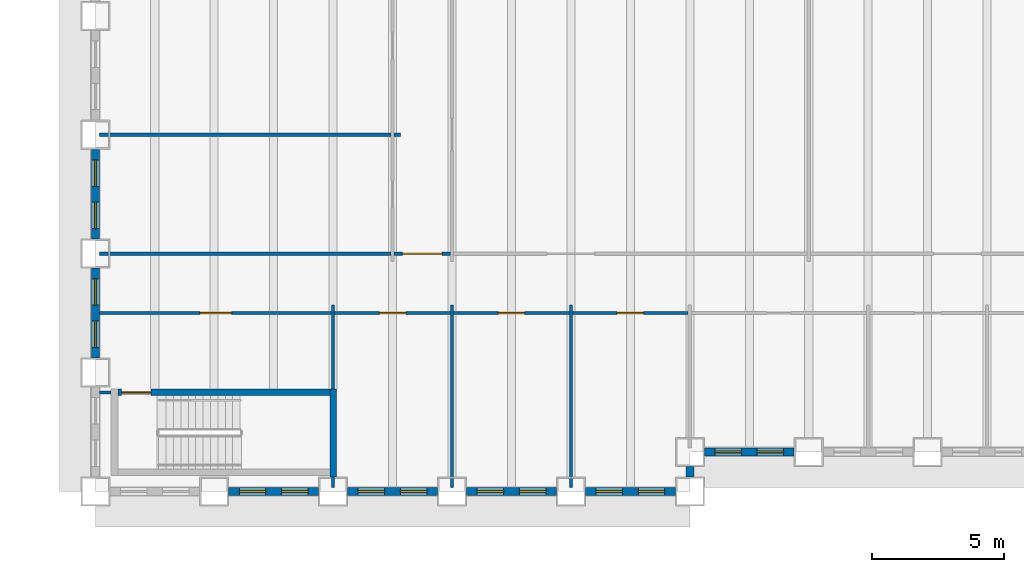
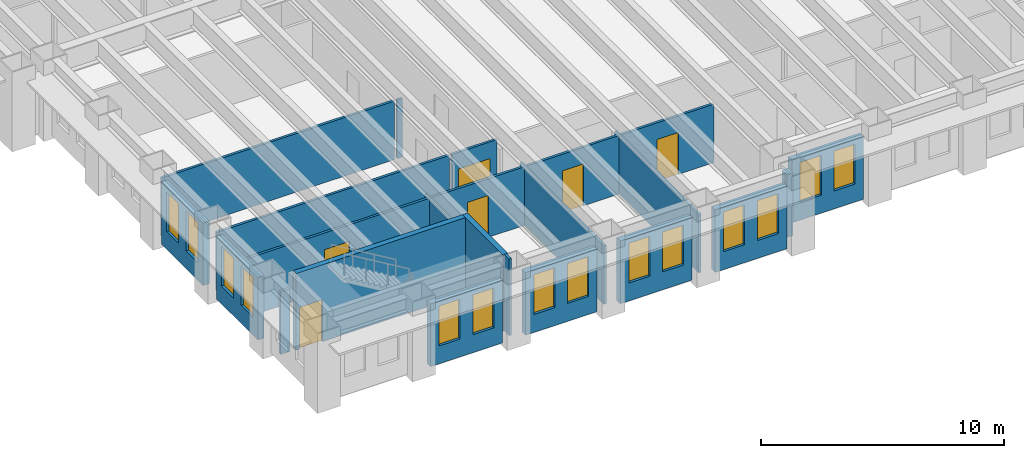
# One storey, part 3 of 17: 23 walls, 14 windows, 6 doors, 20 openings.
"""IFC4 building model written with IfcOpenShell, lengths in metres."""

from ifc_helpers import new_model, si_unit, direction, frame, frame_2d, origin, place, context, subcontext, project, spatial, rectangle, extrude, material, layer, layer_set, type_object, element, fill, save


model = new_model("IFC4")

# Units and contexts
model_context = context("Model", 3, precision=1e-05, world=origin(), true_north=direction((0.0, 1.0)))
body_context = subcontext(model_context, "Body", "Model", "MODEL_VIEW")
ifc_project = project(units=[si_unit("LENGTHUNIT", "METRE"), si_unit("AREAUNIT", "SQUARE_METRE"), si_unit("VOLUMEUNIT", "CUBIC_METRE"), si_unit("PLANEANGLEUNIT", "RADIAN"), si_unit("MASSUNIT", "GRAM", prefix="KILO")], contexts=[model_context])

# Site, building, storey
site_placement = place(None, origin())
site = spatial("IfcSite", under=ifc_project, at=site_placement, CompositionType="ELEMENT")
building_placement = place(site_placement, origin())
building = spatial("IfcBuilding", under=site, at=building_placement, Name="Sennacour Bend Tower", CompositionType="ELEMENT")
storey_placement = place(building_placement, frame((0.0, 0.0, 49.0)))
storey = spatial("IfcBuildingStorey", under=building, at=storey_placement, Name="L10", CompositionType="ELEMENT", Elevation=49.0)

# Walls
ifc_material_1 = material(Name="Plasterboard partition on steel studs", Category="steel")
ifc_layer_1 = layer(ifc_material_1, 0.1201171875, Name="Plasterboard partition on steel studs", Category="steel")
ifc_layer_set_1 = layer_set([ifc_layer_1], Name="Plasterboard partition on steel studs")
wall_type_1 = type_object("IfcWallType", Name="Partition 120", PredefinedType="PARTITIONING", material=ifc_layer_set_1)
wall_1_placement = place(storey_placement, frame((9.0, 0.14990234375, 0.0), z_axis=(0.0, 0.0, 1.0), x_axis=(0.0, 1.0, 0.0)))
element("IfcWall", 1, at=wall_1_placement, inside=storey, type_object=wall_type_1, Name="P-L10-W010a", PredefinedType="PARTITIONING", context=body_context, shape_type="SweptSolid", body=[
    extrude(rectangle(XDim=0.400146484375, YDim=0.1201171875, at=frame_2d((0.2001953125, 0.0))), origin(), (0.0, 0.0, 1.0), 3.85009765625),
])
wall_2_placement = place(storey_placement, frame((9.0, 3.875, 0.0), z_axis=(0.0, 0.0, 1.0), x_axis=(0.0, 1.0, 0.0)))
element("IfcWall", 2, at=wall_2_placement, inside=storey, type_object=wall_type_1, Name="P-L10-W012a", PredefinedType="PARTITIONING", context=body_context, shape_type="SweptSolid", body=[
    extrude(rectangle(XDim=3.175048828125, YDim=0.1201171875, at=frame_2d((1.58740234375, 0.0))), origin(), (0.0, 0.0, 1.0), 2.93798828125),
])
for number, where, z_axis, x_axis, name in (
    (3, (13.5, 0.14990234375, 0.0), (0.0, 0.0, 1.0), (0.0, 1.0, 0.0), "P-L10-W016a"),
    (4, (18.0, 0.14990234375, 0.0), (0.0, 0.0, 1.0), (0.0, 1.0, 0.0), "P-L10-W021a"),
):
    element("IfcWall", number, at=place(storey_placement, frame(where, z_axis=z_axis, x_axis=x_axis)), inside=storey, type_object=wall_type_1, Name=name, PredefinedType="PARTITIONING", context=body_context, shape_type="SweptSolid", body=[
        extrude(rectangle(XDim=6.900146484375, YDim=0.1201171875, at=frame_2d((3.4501953125, 0.0))), origin(), (0.0, 0.0, 1.0), 2.93798828125),
    ])
wall_3_placement = place(storey_placement, frame((0.14990234375, 3.75, 0.0), z_axis=(0.0, 0.0, 1.0), x_axis=(1.0, 0.0, 0.0)))
element("IfcWall", 5, at=wall_3_placement, inside=storey, type_object=wall_type_1, Name="P-L10-W055a", PredefinedType="PARTITIONING", context=body_context, shape_type="SweptSolid", body=[
    extrude(rectangle(XDim=0.4501953125, YDim=0.1201171875, at=frame_2d((0.22509765625, 0.0))), origin(), (0.0, 0.0, 1.0), 3.14404296875),
])

# Wall, opening, door
wall_4_placement = place(storey_placement, frame((9.06005859375, 6.75, 0.0), z_axis=(0.0, 0.0, 1.0), x_axis=(1.0, 0.0, 0.0)))
wall_4 = element("IfcWall", 6, at=wall_4_placement, inside=storey, type_object=wall_type_1, Name="P-L10-W061ab", PredefinedType="PARTITIONING", context=body_context, shape_type="SweptSolid", body=[
    extrude(rectangle(XDim=4.3798828125, YDim=0.1201171875, at=frame_2d((2.18994140625, 0.0))), origin(), (0.0, 0.0, 1.0), 2.93798828125),
])
opening_1_placement = place(wall_4_placement, frame((1.68994140625, 0.0, 0.0)))
opening_1 = element("IfcOpeningElement", 7, at=opening_1_placement, cuts=wall_4, Name="Opening OD2", PredefinedType="OPENING", context=body_context, shape_type="SweptSolid", body=[
    extrude(rectangle(XDim=1.0, YDim=2.10009765625, at=frame_2d((0.5, 1.050048828125))), frame((0.0, 0.070068359375, 0.0), z_axis=(0.0, -1.0, 0.0), x_axis=(1.0, 0.0, 0.0)), (0.0, 0.0, 1.0), 0.14013671875),
])
ifc_material_2 = material(Name="Timber", Category="wood")
door_type_1 = type_object("IfcDoorType", Name="DR-OFFICE-1000", OperationType="NOTDEFINED", PredefinedType="DOOR", material=ifc_material_2)
door_1_placement = place(opening_1_placement, origin())
door_1 = element("IfcDoor", 8, at=door_1_placement, inside=storey, type_object=door_type_1, Name="Door", OperationType="SINGLE_SWING_LEFT", OverallHeight=2.10009765625, OverallWidth=1.0, PredefinedType="DOOR", context=body_context, shape_type="SweptSolid", body=[
    extrude(rectangle(XDim=1.0, YDim=2.10009765625, at=frame_2d((0.5, 1.050048828125))), frame((0.0, 0.02490234375, 0.0), z_axis=(0.0, -1.0, 0.0), x_axis=(1.0, 0.0, 0.0)), (0.0, 0.0, 1.0), 0.050048828125),
])
fill(opening_1, door_1)

wall_5_placement = place(storey_placement, frame((13.56005859375, 6.75, 0.0), z_axis=(0.0, 0.0, 1.0), x_axis=(1.0, 0.0, 0.0)))
wall_5 = element("IfcWall", 9, at=wall_5_placement, inside=storey, type_object=wall_type_1, Name="P-L10-W061ac", PredefinedType="PARTITIONING", context=body_context, shape_type="SweptSolid", body=[
    extrude(rectangle(XDim=4.3798828125, YDim=0.1201171875, at=frame_2d((2.18994140625, 0.0))), origin(), (0.0, 0.0, 1.0), 2.93798828125),
])
opening_2_placement = place(wall_5_placement, frame((1.68994140625, 0.0, 0.0)))
opening_2 = element("IfcOpeningElement", 10, at=opening_2_placement, cuts=wall_5, Name="Opening OD2", PredefinedType="OPENING", context=body_context, shape_type="SweptSolid", body=[
    extrude(rectangle(XDim=1.0, YDim=2.10009765625, at=frame_2d((0.5, 1.050048828125))), frame((0.0, 0.070068359375, 0.0), z_axis=(0.0, -1.0, 0.0), x_axis=(1.0, 0.0, 0.0)), (0.0, 0.0, 1.0), 0.14013671875),
])
door_2_placement = place(opening_2_placement, origin())
door_2 = element("IfcDoor", 11, at=door_2_placement, inside=storey, type_object=door_type_1, Name="Door", OperationType="SINGLE_SWING_LEFT", OverallHeight=2.10009765625, OverallWidth=1.0, PredefinedType="DOOR", context=body_context, shape_type="SweptSolid", body=[
    extrude(rectangle(XDim=1.0, YDim=2.10009765625, at=frame_2d((0.5, 1.050048828125))), frame((0.0, 0.02490234375, 0.0), z_axis=(0.0, -1.0, 0.0), x_axis=(1.0, 0.0, 0.0)), (0.0, 0.0, 1.0), 0.050048828125),
])
fill(opening_2, door_2)

wall_6_placement = place(storey_placement, frame((18.06005859375, 6.75, 0.0), z_axis=(0.0, 0.0, 1.0), x_axis=(1.0, 0.0, 0.0)))
wall_6 = element("IfcWall", 12, at=wall_6_placement, inside=storey, type_object=wall_type_1, Name="P-L10-W061ad", PredefinedType="PARTITIONING", context=body_context, shape_type="SweptSolid", body=[
    extrude(rectangle(XDim=4.3798828125, YDim=0.1201171875, at=frame_2d((2.18994140625, 0.0))), origin(), (0.0, 0.0, 1.0), 2.93798828125),
])
opening_3_placement = place(wall_6_placement, frame((1.68994140625, 0.0, 0.0)))
opening_3 = element("IfcOpeningElement", 13, at=opening_3_placement, cuts=wall_6, Name="Opening OD2", PredefinedType="OPENING", context=body_context, shape_type="SweptSolid", body=[
    extrude(rectangle(XDim=1.0, YDim=2.10009765625, at=frame_2d((0.5, 1.050048828125))), frame((0.0, 0.070068359375, 0.0), z_axis=(0.0, -1.0, 0.0), x_axis=(1.0, 0.0, 0.0)), (0.0, 0.0, 1.0), 0.14013671875),
])
door_3_placement = place(opening_3_placement, origin())
door_3 = element("IfcDoor", 14, at=door_3_placement, inside=storey, type_object=door_type_1, Name="Door", OperationType="SINGLE_SWING_LEFT", OverallHeight=2.10009765625, OverallWidth=1.0, PredefinedType="DOOR", context=body_context, shape_type="SweptSolid", body=[
    extrude(rectangle(XDim=1.0, YDim=2.10009765625, at=frame_2d((0.5, 1.050048828125))), frame((0.0, 0.02490234375, 0.0), z_axis=(0.0, -1.0, 0.0), x_axis=(1.0, 0.0, 0.0)), (0.0, 0.0, 1.0), 0.050048828125),
])
fill(opening_3, door_3)

# Walls
for number, where, z_axis, x_axis, name in (
    (15, (0.14990234375, 9.0, 0.0), (0.0, 0.0, 1.0), (1.0, 0.0, 0.0), "P-L10-W062aa"),
    (16, (0.14990234375, 13.5, 0.0), (0.0, 0.0, 1.0), (1.0, 0.0, 0.0), "P-L10-W065aa"),
):
    element("IfcWall", number, at=place(storey_placement, frame(where, z_axis=z_axis, x_axis=x_axis)), inside=storey, type_object=wall_type_1, Name=name, PredefinedType="PARTITIONING", context=body_context, shape_type="SweptSolid", body=[
        extrude(rectangle(XDim=11.0400390625, YDim=0.1201171875, at=frame_2d((5.52001953125, 0.0))), origin(), (0.0, 0.0, 1.0), 2.93798828125),
    ])
wall_7_placement = place(storey_placement, frame((11.31005859375, 13.5, 0.0), z_axis=(0.0, 0.0, 1.0), x_axis=(1.0, 0.0, 0.0)))
element("IfcWall", 17, at=wall_7_placement, inside=storey, type_object=wall_type_1, Name="P-L10-W065ab", PredefinedType="PARTITIONING", context=body_context, shape_type="SweptSolid", body=[
    extrude(rectangle(XDim=0.239990234375, YDim=0.1201171875, at=frame_2d((0.1201171875, 0.0))), origin(), (0.0, 0.0, 1.0), 2.93798828125),
])

# Wall, opening, door
ifc_layer_2 = layer(ifc_material_1, 0.1201171875, Name="Plasterboard partition on steel studs", Category="steel")
ifc_layer_set_2 = layer_set([ifc_layer_2], Name="Plasterboard partition on steel studs")
wall_type_2 = type_object("IfcWallType", Name="Partition 120 EI 30", PredefinedType="PARTITIONING", material=ifc_layer_set_2)
wall_8_placement = place(storey_placement, frame((0.14990234375, 6.75, 0.0), z_axis=(0.0, 0.0, 1.0), x_axis=(1.0, 0.0, 0.0)))
wall_8 = element("IfcWall", 18, at=wall_8_placement, inside=storey, type_object=wall_type_2, Name="P-L10-W061aa", PredefinedType="PARTITIONING", context=body_context, shape_type="SweptSolid", body=[
    extrude(rectangle(XDim=8.7900390625, YDim=0.1201171875, at=frame_2d((4.39501953125, 0.0))), origin(), (0.0, 0.0, 1.0), 2.93798828125),
])
opening_4_placement = place(wall_8_placement, frame((3.80517578125, 0.0, 0.0)))
opening_4 = element("IfcOpeningElement", 19, at=opening_4_placement, cuts=wall_8, Name="Opening KD2", PredefinedType="OPENING", context=body_context, shape_type="SweptSolid", body=[
    extrude(rectangle(XDim=1.199951171875, YDim=2.10009765625, at=frame_2d((0.60009765625, 1.050048828125))), frame((0.0, 0.070068359375, 0.0), z_axis=(0.0, -1.0, 0.0), x_axis=(1.0, 0.0, 0.0)), (0.0, 0.0, 1.0), 0.14013671875),
])
ifc_material_3 = material(Name="Painted steel", Category="steel")
door_type_2 = type_object("IfcDoorType", Name="DR-CORRIDOR-1200", OperationType="NOTDEFINED", PredefinedType="DOOR", material=ifc_material_3)
door_4_placement = place(opening_4_placement, origin())
door_4 = element("IfcDoor", 20, at=door_4_placement, inside=storey, type_object=door_type_2, Name="Door", OperationType="SINGLE_SWING_LEFT", OverallHeight=2.10009765625, OverallWidth=1.199951171875, PredefinedType="DOOR", context=body_context, shape_type="SweptSolid", body=[
    extrude(rectangle(XDim=1.199951171875, YDim=2.10009765625, at=frame_2d((0.60009765625, 1.050048828125))), frame((0.0, 0.02490234375, 0.0), z_axis=(0.0, -1.0, 0.0), x_axis=(1.0, 0.0, 0.0)), (0.0, 0.0, 1.0), 0.050048828125),
])
fill(opening_4, door_4)

wall_9_placement = place(storey_placement, frame((11.31005859375, 9.0, 0.0), z_axis=(0.0, 0.0, 1.0), x_axis=(1.0, 0.0, 0.0)))
wall_9 = element("IfcWall", 21, at=wall_9_placement, inside=storey, type_object=wall_type_2, Name="P-L10-W062ab", PredefinedType="PARTITIONING", context=body_context, shape_type="SweptSolid", body=[
    extrude(rectangle(XDim=2.1298828125, YDim=0.1201171875, at=frame_2d((1.06494140625, 0.0))), origin(), (0.0, 0.0, 1.0), 2.93798828125),
])
opening_5_placement = place(wall_9_placement, frame((0.31494140625, 0.0, 0.0)))
opening_5 = element("IfcOpeningElement", 22, at=opening_5_placement, cuts=wall_9, Name="Opening KD", PredefinedType="OPENING", context=body_context, shape_type="SweptSolid", body=[
    extrude(rectangle(XDim=1.5, YDim=2.10009765625, at=frame_2d((0.75, 1.050048828125))), frame((0.0, 0.070068359375, 0.0), z_axis=(0.0, -1.0, 0.0), x_axis=(1.0, 0.0, 0.0)), (0.0, 0.0, 1.0), 0.14013671875),
])
door_type_3 = type_object("IfcDoorType", Name="DR-CORRIDOR-1500", OperationType="NOTDEFINED", PredefinedType="DOOR", material=ifc_material_3)
door_5_placement = place(opening_5_placement, origin())
door_5 = element("IfcDoor", 23, at=door_5_placement, inside=storey, type_object=door_type_3, Name="Door", OperationType="SINGLE_SWING_LEFT", OverallHeight=2.10009765625, OverallWidth=1.5, PredefinedType="DOOR", context=body_context, shape_type="SweptSolid", body=[
    extrude(rectangle(XDim=1.5, YDim=2.10009765625, at=frame_2d((0.75, 1.050048828125))), frame((0.0, 0.02490234375, 0.0), z_axis=(0.0, -1.0, 0.0), x_axis=(1.0, 0.0, 0.0)), (0.0, 0.0, 1.0), 0.050048828125),
])
fill(opening_5, door_5)

# Wall, openings, windows
ifc_material_4 = material(Name="Warm limestone cladding", Category="masonry")
ifc_layer_3 = layer(ifc_material_4, 0.050048828125, Name="Warm limestone cladding", Category="masonry")
ifc_material_5 = material(Name="Precast concrete C40/50", Category="concrete")
ifc_layer_4 = layer(ifc_material_5, 0.25, Name="Precast concrete C40/50", Category="concrete")
ifc_layer_set_3 = layer_set([ifc_layer_3, ifc_layer_4], Name="Precast concrete C40/50 with limestone cladding")
wall_type_3 = type_object("IfcWallType", Name="STONE-CLAD PRECAST SPANDREL 300", PredefinedType="STANDARD", material=ifc_layer_set_3)
wall_10_placement = place(storey_placement, frame((5.050048828125, 0.0, 0.0), z_axis=(0.0, 0.0, 1.0), x_axis=(1.0, 0.0, 0.0)))
wall_10 = element("IfcWall", 24, at=wall_10_placement, inside=storey, type_object=wall_type_3, Name="Stone spandrel and pier wall L10 00.01", PredefinedType="STANDARD", context=body_context, shape_type="SweptSolid", body=[
    extrude(rectangle(XDim=3.39990234375, YDim=0.300048828125, at=frame_2d((1.699951171875, 0.0))), origin(), (0.0, 0.0, 1.0), 3.14404296875),
])
opening_6_placement = place(wall_10_placement, frame((0.39990234375, 0.0, 0.89990234375)))
opening_6 = element("IfcOpeningElement", 25, at=opening_6_placement, cuts=wall_10, Name="Opening W8", PredefinedType="OPENING", context=body_context, shape_type="SweptSolid", body=[
    extrude(rectangle(XDim=1.0, YDim=2.0, at=frame_2d((0.5, 1.0))), frame((0.0, 0.16015625, 0.0), z_axis=(0.0, -1.0, 0.0), x_axis=(1.0, 0.0, 0.0)), (0.0, 0.0, 1.0), 0.320068359375),
])
opening_7_placement = place(wall_10_placement, frame((2.0, 0.0, 0.89990234375)))
opening_7 = element("IfcOpeningElement", 26, at=opening_7_placement, cuts=wall_10, Name="Opening W8", PredefinedType="OPENING", context=body_context, shape_type="SweptSolid", body=[
    extrude(rectangle(XDim=1.0, YDim=2.0, at=frame_2d((0.5, 1.0))), frame((0.0, 0.16015625, 0.0), z_axis=(0.0, -1.0, 0.0), x_axis=(1.0, 0.0, 0.0)), (0.0, 0.0, 1.0), 0.320068359375),
])
ifc_material_6 = material(Name="Clear low-emissivity glass", Category="glass")
window_type = type_object("IfcWindowType", Name="WIN-RIBBON-1000x2000", PartitioningType="SINGLE_PANEL", PredefinedType="WINDOW", material=ifc_material_6)
window_1_placement = place(opening_6_placement, origin())
window_1 = element("IfcWindow", 27, at=window_1_placement, inside=storey, type_object=window_type, Name="Ribbon window L10 00.01.0", OverallHeight=2.0, OverallWidth=1.0, PartitioningType="SINGLE_PANEL", PredefinedType="WINDOW", context=body_context, shape_type="SweptSolid", body=[
    extrude(rectangle(XDim=1.0, YDim=2.0, at=frame_2d((0.5, 1.0))), frame((0.0, 0.030029296875, 0.0), z_axis=(0.0, -1.0, 0.0), x_axis=(1.0, 0.0, 0.0)), (0.0, 0.0, 1.0), 0.06005859375),
])
fill(opening_6, window_1)
window_2_placement = place(opening_7_placement, origin())
window_2 = element("IfcWindow", 28, at=window_2_placement, inside=storey, type_object=window_type, Name="Ribbon window L10 00.01.1", OverallHeight=2.0, OverallWidth=1.0, PartitioningType="SINGLE_PANEL", PredefinedType="WINDOW", context=body_context, shape_type="SweptSolid", body=[
    extrude(rectangle(XDim=1.0, YDim=2.0, at=frame_2d((0.5, 1.0))), frame((0.0, 0.030029296875, 0.0), z_axis=(0.0, -1.0, 0.0), x_axis=(1.0, 0.0, 0.0)), (0.0, 0.0, 1.0), 0.06005859375),
])
fill(opening_7, window_2)

wall_11_placement = place(storey_placement, frame((9.550048828125, 0.0, 0.0), z_axis=(0.0, 0.0, 1.0), x_axis=(1.0, 0.0, 0.0)))
wall_11 = element("IfcWall", 29, at=wall_11_placement, inside=storey, type_object=wall_type_3, Name="Stone spandrel and pier wall L10 00.02", PredefinedType="STANDARD", context=body_context, shape_type="SweptSolid", body=[
    extrude(rectangle(XDim=3.39990234375, YDim=0.300048828125, at=frame_2d((1.699951171875, 0.0))), origin(), (0.0, 0.0, 1.0), 3.14404296875),
])
opening_8_placement = place(wall_11_placement, frame((0.39990234375, 0.0, 0.89990234375)))
opening_8 = element("IfcOpeningElement", 30, at=opening_8_placement, cuts=wall_11, Name="Opening W8", PredefinedType="OPENING", context=body_context, shape_type="SweptSolid", body=[
    extrude(rectangle(XDim=1.0, YDim=2.0, at=frame_2d((0.5, 1.0))), frame((0.0, 0.16015625, 0.0), z_axis=(0.0, -1.0, 0.0), x_axis=(1.0, 0.0, 0.0)), (0.0, 0.0, 1.0), 0.320068359375),
])
opening_9_placement = place(wall_11_placement, frame((2.0, 0.0, 0.89990234375)))
opening_9 = element("IfcOpeningElement", 31, at=opening_9_placement, cuts=wall_11, Name="Opening W8", PredefinedType="OPENING", context=body_context, shape_type="SweptSolid", body=[
    extrude(rectangle(XDim=1.0, YDim=2.0, at=frame_2d((0.5, 1.0))), frame((0.0, 0.16015625, 0.0), z_axis=(0.0, -1.0, 0.0), x_axis=(1.0, 0.0, 0.0)), (0.0, 0.0, 1.0), 0.320068359375),
])
window_3_placement = place(opening_8_placement, origin())
window_3 = element("IfcWindow", 32, at=window_3_placement, inside=storey, type_object=window_type, Name="Ribbon window L10 00.02.0", OverallHeight=2.0, OverallWidth=1.0, PartitioningType="SINGLE_PANEL", PredefinedType="WINDOW", context=body_context, shape_type="SweptSolid", body=[
    extrude(rectangle(XDim=1.0, YDim=2.0, at=frame_2d((0.5, 1.0))), frame((0.0, 0.030029296875, 0.0), z_axis=(0.0, -1.0, 0.0), x_axis=(1.0, 0.0, 0.0)), (0.0, 0.0, 1.0), 0.06005859375),
])
fill(opening_8, window_3)
window_4_placement = place(opening_9_placement, origin())
window_4 = element("IfcWindow", 33, at=window_4_placement, inside=storey, type_object=window_type, Name="Ribbon window L10 00.02.1", OverallHeight=2.0, OverallWidth=1.0, PartitioningType="SINGLE_PANEL", PredefinedType="WINDOW", context=body_context, shape_type="SweptSolid", body=[
    extrude(rectangle(XDim=1.0, YDim=2.0, at=frame_2d((0.5, 1.0))), frame((0.0, 0.030029296875, 0.0), z_axis=(0.0, -1.0, 0.0), x_axis=(1.0, 0.0, 0.0)), (0.0, 0.0, 1.0), 0.06005859375),
])
fill(opening_9, window_4)

wall_12_placement = place(storey_placement, frame((14.050048828125, 0.0, 0.0), z_axis=(0.0, 0.0, 1.0), x_axis=(1.0, 0.0, 0.0)))
wall_12 = element("IfcWall", 34, at=wall_12_placement, inside=storey, type_object=wall_type_3, Name="Stone spandrel and pier wall L10 00.03", PredefinedType="STANDARD", context=body_context, shape_type="SweptSolid", body=[
    extrude(rectangle(XDim=3.39990234375, YDim=0.300048828125, at=frame_2d((1.699951171875, 0.0))), origin(), (0.0, 0.0, 1.0), 3.14404296875),
])
opening_10_placement = place(wall_12_placement, frame((0.39990234375, 0.0, 0.89990234375)))
opening_10 = element("IfcOpeningElement", 35, at=opening_10_placement, cuts=wall_12, Name="Opening W8", PredefinedType="OPENING", context=body_context, shape_type="SweptSolid", body=[
    extrude(rectangle(XDim=1.0, YDim=2.0, at=frame_2d((0.5, 1.0))), frame((0.0, 0.16015625, 0.0), z_axis=(0.0, -1.0, 0.0), x_axis=(1.0, 0.0, 0.0)), (0.0, 0.0, 1.0), 0.320068359375),
])
opening_11_placement = place(wall_12_placement, frame((2.0, 0.0, 0.89990234375)))
opening_11 = element("IfcOpeningElement", 36, at=opening_11_placement, cuts=wall_12, Name="Opening W8", PredefinedType="OPENING", context=body_context, shape_type="SweptSolid", body=[
    extrude(rectangle(XDim=1.0, YDim=2.0, at=frame_2d((0.5, 1.0))), frame((0.0, 0.16015625, 0.0), z_axis=(0.0, -1.0, 0.0), x_axis=(1.0, 0.0, 0.0)), (0.0, 0.0, 1.0), 0.320068359375),
])
window_5_placement = place(opening_10_placement, origin())
window_5 = element("IfcWindow", 37, at=window_5_placement, inside=storey, type_object=window_type, Name="Ribbon window L10 00.03.0", OverallHeight=2.0, OverallWidth=1.0, PartitioningType="SINGLE_PANEL", PredefinedType="WINDOW", context=body_context, shape_type="SweptSolid", body=[
    extrude(rectangle(XDim=1.0, YDim=2.0, at=frame_2d((0.5, 1.0))), frame((0.0, 0.030029296875, 0.0), z_axis=(0.0, -1.0, 0.0), x_axis=(1.0, 0.0, 0.0)), (0.0, 0.0, 1.0), 0.06005859375),
])
fill(opening_10, window_5)
window_6_placement = place(opening_11_placement, origin())
window_6 = element("IfcWindow", 38, at=window_6_placement, inside=storey, type_object=window_type, Name="Ribbon window L10 00.03.1", OverallHeight=2.0, OverallWidth=1.0, PartitioningType="SINGLE_PANEL", PredefinedType="WINDOW", context=body_context, shape_type="SweptSolid", body=[
    extrude(rectangle(XDim=1.0, YDim=2.0, at=frame_2d((0.5, 1.0))), frame((0.0, 0.030029296875, 0.0), z_axis=(0.0, -1.0, 0.0), x_axis=(1.0, 0.0, 0.0)), (0.0, 0.0, 1.0), 0.06005859375),
])
fill(opening_11, window_6)

wall_13_placement = place(storey_placement, frame((18.550048828125, 0.0, 0.0), z_axis=(0.0, 0.0, 1.0), x_axis=(1.0, 0.0, 0.0)))
wall_13 = element("IfcWall", 39, at=wall_13_placement, inside=storey, type_object=wall_type_3, Name="Stone spandrel and pier wall L10 00.04", PredefinedType="STANDARD", context=body_context, shape_type="SweptSolid", body=[
    extrude(rectangle(XDim=3.39990234375, YDim=0.300048828125, at=frame_2d((1.699951171875, 0.0))), origin(), (0.0, 0.0, 1.0), 3.14404296875),
])
opening_12_placement = place(wall_13_placement, frame((0.39990234375, 0.0, 0.89990234375)))
opening_12 = element("IfcOpeningElement", 40, at=opening_12_placement, cuts=wall_13, Name="Opening W8", PredefinedType="OPENING", context=body_context, shape_type="SweptSolid", body=[
    extrude(rectangle(XDim=1.0, YDim=2.0, at=frame_2d((0.5, 1.0))), frame((0.0, 0.16015625, 0.0), z_axis=(0.0, -1.0, 0.0), x_axis=(1.0, 0.0, 0.0)), (0.0, 0.0, 1.0), 0.320068359375),
])
opening_13_placement = place(wall_13_placement, frame((2.0, 0.0, 0.89990234375)))
opening_13 = element("IfcOpeningElement", 41, at=opening_13_placement, cuts=wall_13, Name="Opening W8", PredefinedType="OPENING", context=body_context, shape_type="SweptSolid", body=[
    extrude(rectangle(XDim=1.0, YDim=2.0, at=frame_2d((0.5, 1.0))), frame((0.0, 0.16015625, 0.0), z_axis=(0.0, -1.0, 0.0), x_axis=(1.0, 0.0, 0.0)), (0.0, 0.0, 1.0), 0.320068359375),
])
window_7_placement = place(opening_12_placement, origin())
window_7 = element("IfcWindow", 42, at=window_7_placement, inside=storey, type_object=window_type, Name="Ribbon window L10 00.04.0", OverallHeight=2.0, OverallWidth=1.0, PartitioningType="SINGLE_PANEL", PredefinedType="WINDOW", context=body_context, shape_type="SweptSolid", body=[
    extrude(rectangle(XDim=1.0, YDim=2.0, at=frame_2d((0.5, 1.0))), frame((0.0, 0.030029296875, 0.0), z_axis=(0.0, -1.0, 0.0), x_axis=(1.0, 0.0, 0.0)), (0.0, 0.0, 1.0), 0.06005859375),
])
fill(opening_12, window_7)
window_8_placement = place(opening_13_placement, origin())
window_8 = element("IfcWindow", 43, at=window_8_placement, inside=storey, type_object=window_type, Name="Ribbon window L10 00.04.1", OverallHeight=2.0, OverallWidth=1.0, PartitioningType="SINGLE_PANEL", PredefinedType="WINDOW", context=body_context, shape_type="SweptSolid", body=[
    extrude(rectangle(XDim=1.0, YDim=2.0, at=frame_2d((0.5, 1.0))), frame((0.0, 0.030029296875, 0.0), z_axis=(0.0, -1.0, 0.0), x_axis=(1.0, 0.0, 0.0)), (0.0, 0.0, 1.0), 0.06005859375),
])
fill(opening_13, window_8)

# Wall
wall_14_placement = place(storey_placement, frame((22.5, 0.550048828125, 0.0), z_axis=(0.0, 0.0, 1.0), x_axis=(0.0, 1.0, 0.0)))
element("IfcWall", 44, at=wall_14_placement, inside=storey, type_object=wall_type_3, Name="Stone spandrel and pier wall L10 01.00", PredefinedType="STANDARD", context=body_context, shape_type="SweptSolid", body=[
    extrude(rectangle(XDim=0.39990234375, YDim=0.300048828125, at=frame_2d((0.199951171875, 0.0))), origin(), (0.0, 0.0, 1.0), 3.14404296875),
])

# Wall, openings, windows
wall_15_placement = place(storey_placement, frame((23.050048828125, 1.5, 0.0), z_axis=(0.0, 0.0, 1.0), x_axis=(1.0, 0.0, 0.0)))
wall_15 = element("IfcWall", 45, at=wall_15_placement, inside=storey, type_object=wall_type_3, Name="Stone spandrel and pier wall L10 02.00", PredefinedType="STANDARD", context=body_context, shape_type="SweptSolid", body=[
    extrude(rectangle(XDim=3.39990234375, YDim=0.300048828125, at=frame_2d((1.699951171875, 0.0))), origin(), (0.0, 0.0, 1.0), 3.14404296875),
])
opening_14_placement = place(wall_15_placement, frame((0.39990234375, 0.0, 0.89990234375)))
opening_14 = element("IfcOpeningElement", 46, at=opening_14_placement, cuts=wall_15, Name="Opening W8", PredefinedType="OPENING", context=body_context, shape_type="SweptSolid", body=[
    extrude(rectangle(XDim=1.0, YDim=2.0, at=frame_2d((0.5, 1.0))), frame((0.0, 0.16015625, 0.0), z_axis=(0.0, -1.0, 0.0), x_axis=(1.0, 0.0, 0.0)), (0.0, 0.0, 1.0), 0.320068359375),
])
opening_15_placement = place(wall_15_placement, frame((2.0, 0.0, 0.89990234375)))
opening_15 = element("IfcOpeningElement", 47, at=opening_15_placement, cuts=wall_15, Name="Opening W8", PredefinedType="OPENING", context=body_context, shape_type="SweptSolid", body=[
    extrude(rectangle(XDim=1.0, YDim=2.0, at=frame_2d((0.5, 1.0))), frame((0.0, 0.16015625, 0.0), z_axis=(0.0, -1.0, 0.0), x_axis=(1.0, 0.0, 0.0)), (0.0, 0.0, 1.0), 0.320068359375),
])
window_9_placement = place(opening_14_placement, origin())
window_9 = element("IfcWindow", 48, at=window_9_placement, inside=storey, type_object=window_type, Name="Ribbon window L10 02.00.0", OverallHeight=2.0, OverallWidth=1.0, PartitioningType="SINGLE_PANEL", PredefinedType="WINDOW", context=body_context, shape_type="SweptSolid", body=[
    extrude(rectangle(XDim=1.0, YDim=2.0, at=frame_2d((0.5, 1.0))), frame((0.0, 0.030029296875, 0.0), z_axis=(0.0, -1.0, 0.0), x_axis=(1.0, 0.0, 0.0)), (0.0, 0.0, 1.0), 0.06005859375),
])
fill(opening_14, window_9)
window_10_placement = place(opening_15_placement, origin())
window_10 = element("IfcWindow", 49, at=window_10_placement, inside=storey, type_object=window_type, Name="Ribbon window L10 02.00.1", OverallHeight=2.0, OverallWidth=1.0, PartitioningType="SINGLE_PANEL", PredefinedType="WINDOW", context=body_context, shape_type="SweptSolid", body=[
    extrude(rectangle(XDim=1.0, YDim=2.0, at=frame_2d((0.5, 1.0))), frame((0.0, 0.030029296875, 0.0), z_axis=(0.0, -1.0, 0.0), x_axis=(1.0, 0.0, 0.0)), (0.0, 0.0, 1.0), 0.06005859375),
])
fill(opening_15, window_10)

wall_16_placement = place(storey_placement, frame((0.0, 12.949951171875, 0.0), z_axis=(0.0, 0.0, 1.0), x_axis=(0.0, -1.0, 0.0)))
wall_16 = element("IfcWall", 50, at=wall_16_placement, inside=storey, type_object=wall_type_3, Name="Stone spandrel and pier wall L10 23.02", PredefinedType="STANDARD", context=body_context, shape_type="SweptSolid", body=[
    extrude(rectangle(XDim=3.39990234375, YDim=0.300048828125, at=frame_2d((1.699951171875, 0.0))), origin(), (0.0, 0.0, 1.0), 3.14404296875),
])
opening_16_placement = place(wall_16_placement, frame((0.39990234375, 0.0, 0.89990234375)))
opening_16 = element("IfcOpeningElement", 51, at=opening_16_placement, cuts=wall_16, Name="Opening W8", PredefinedType="OPENING", context=body_context, shape_type="SweptSolid", body=[
    extrude(rectangle(XDim=1.0, YDim=2.0, at=frame_2d((0.5, 1.0))), frame((0.0, 0.16015625, 0.0), z_axis=(0.0, -1.0, 0.0), x_axis=(1.0, 0.0, 0.0)), (0.0, 0.0, 1.0), 0.320068359375),
])
opening_17_placement = place(wall_16_placement, frame((2.0, 0.0, 0.89990234375)))
opening_17 = element("IfcOpeningElement", 52, at=opening_17_placement, cuts=wall_16, Name="Opening W8", PredefinedType="OPENING", context=body_context, shape_type="SweptSolid", body=[
    extrude(rectangle(XDim=1.0, YDim=2.0, at=frame_2d((0.5, 1.0))), frame((0.0, 0.16015625, 0.0), z_axis=(0.0, -1.0, 0.0), x_axis=(1.0, 0.0, 0.0)), (0.0, 0.0, 1.0), 0.320068359375),
])
window_11_placement = place(opening_16_placement, origin())
window_11 = element("IfcWindow", 53, at=window_11_placement, inside=storey, type_object=window_type, Name="Ribbon window L10 23.02.0", OverallHeight=2.0, OverallWidth=1.0, PartitioningType="SINGLE_PANEL", PredefinedType="WINDOW", context=body_context, shape_type="SweptSolid", body=[
    extrude(rectangle(XDim=1.0, YDim=2.0, at=frame_2d((0.5, 1.0))), frame((0.0, 0.030029296875, 0.0), z_axis=(0.0, -1.0, 0.0), x_axis=(1.0, 0.0, 0.0)), (0.0, 0.0, 1.0), 0.06005859375),
])
fill(opening_16, window_11)
window_12_placement = place(opening_17_placement, origin())
window_12 = element("IfcWindow", 54, at=window_12_placement, inside=storey, type_object=window_type, Name="Ribbon window L10 23.02.1", OverallHeight=2.0, OverallWidth=1.0, PartitioningType="SINGLE_PANEL", PredefinedType="WINDOW", context=body_context, shape_type="SweptSolid", body=[
    extrude(rectangle(XDim=1.0, YDim=2.0, at=frame_2d((0.5, 1.0))), frame((0.0, 0.030029296875, 0.0), z_axis=(0.0, -1.0, 0.0), x_axis=(1.0, 0.0, 0.0)), (0.0, 0.0, 1.0), 0.06005859375),
])
fill(opening_17, window_12)

wall_17_placement = place(storey_placement, frame((0.0, 8.449951171875, 0.0), z_axis=(0.0, 0.0, 1.0), x_axis=(0.0, -1.0, 0.0)))
wall_17 = element("IfcWall", 55, at=wall_17_placement, inside=storey, type_object=wall_type_3, Name="Stone spandrel and pier wall L10 23.03", PredefinedType="STANDARD", context=body_context, shape_type="SweptSolid", body=[
    extrude(rectangle(XDim=3.39990234375, YDim=0.300048828125, at=frame_2d((1.699951171875, 0.0))), origin(), (0.0, 0.0, 1.0), 3.14404296875),
])
opening_18_placement = place(wall_17_placement, frame((0.39990234375, 0.0, 0.89990234375)))
opening_18 = element("IfcOpeningElement", 56, at=opening_18_placement, cuts=wall_17, Name="Opening W8", PredefinedType="OPENING", context=body_context, shape_type="SweptSolid", body=[
    extrude(rectangle(XDim=1.0, YDim=2.0, at=frame_2d((0.5, 1.0))), frame((0.0, 0.16015625, 0.0), z_axis=(0.0, -1.0, 0.0), x_axis=(1.0, 0.0, 0.0)), (0.0, 0.0, 1.0), 0.320068359375),
])
opening_19_placement = place(wall_17_placement, frame((2.0, 0.0, 0.89990234375)))
opening_19 = element("IfcOpeningElement", 57, at=opening_19_placement, cuts=wall_17, Name="Opening W8", PredefinedType="OPENING", context=body_context, shape_type="SweptSolid", body=[
    extrude(rectangle(XDim=1.0, YDim=2.0, at=frame_2d((0.5, 1.0))), frame((0.0, 0.16015625, 0.0), z_axis=(0.0, -1.0, 0.0), x_axis=(1.0, 0.0, 0.0)), (0.0, 0.0, 1.0), 0.320068359375),
])
window_13_placement = place(opening_18_placement, origin())
window_13 = element("IfcWindow", 58, at=window_13_placement, inside=storey, type_object=window_type, Name="Ribbon window L10 23.03.0", OverallHeight=2.0, OverallWidth=1.0, PartitioningType="SINGLE_PANEL", PredefinedType="WINDOW", context=body_context, shape_type="SweptSolid", body=[
    extrude(rectangle(XDim=1.0, YDim=2.0, at=frame_2d((0.5, 1.0))), frame((0.0, 0.030029296875, 0.0), z_axis=(0.0, -1.0, 0.0), x_axis=(1.0, 0.0, 0.0)), (0.0, 0.0, 1.0), 0.06005859375),
])
fill(opening_18, window_13)
window_14_placement = place(opening_19_placement, origin())
window_14 = element("IfcWindow", 59, at=window_14_placement, inside=storey, type_object=window_type, Name="Ribbon window L10 23.03.1", OverallHeight=2.0, OverallWidth=1.0, PartitioningType="SINGLE_PANEL", PredefinedType="WINDOW", context=body_context, shape_type="SweptSolid", body=[
    extrude(rectangle(XDim=1.0, YDim=2.0, at=frame_2d((0.5, 1.0))), frame((0.0, 0.030029296875, 0.0), z_axis=(0.0, -1.0, 0.0), x_axis=(1.0, 0.0, 0.0)), (0.0, 0.0, 1.0), 0.06005859375),
])
fill(opening_19, window_14)

# Wall
ifc_material_7 = material(Name="Concrete C60/75", Category="concrete")
ifc_layer_5 = layer(ifc_material_7, 0.25, Name="Concrete C60/75", Category="concrete")
ifc_layer_set_4 = layer_set([ifc_layer_5], Name="Concrete C60/75")
wall_type_4 = type_object("IfcWallType", Name="Stair wall 250", PredefinedType="SHEAR", material=ifc_layer_set_4)
wall_18_placement = place(storey_placement, frame((9.0, 0.550048828125, 0.0), z_axis=(0.0, 0.0, 1.0), x_axis=(0.0, 1.0, 0.0)))
element("IfcWall", 60, at=wall_18_placement, inside=storey, type_object=wall_type_4, Name="P-L10-W011", PredefinedType="SHEAR", context=body_context, shape_type="SweptSolid", body=[
    extrude(rectangle(XDim=3.324951171875, YDim=0.25, at=frame_2d((1.66259765625, 0.0))), origin(), (0.0, 0.0, 1.0), 3.85009765625),
])

# Wall, opening, door
wall_19_placement = place(storey_placement, frame((0.85009765625, 3.75, 0.0), z_axis=(0.0, 0.0, 1.0), x_axis=(1.0, 0.0, 0.0)))
wall_19 = element("IfcWall", 61, at=wall_19_placement, inside=storey, type_object=wall_type_4, Name="P-L10-W056", PredefinedType="SHEAR", context=body_context, shape_type="SweptSolid", body=[
    extrude(rectangle(XDim=8.02490234375, YDim=0.25, at=frame_2d((4.012451171875, 0.0))), origin(), (0.0, 0.0, 1.0), 3.85009765625),
])
opening_20_placement = place(wall_19_placement, frame((0.14990234375, 0.0, 0.0)))
opening_20 = element("IfcOpeningElement", 62, at=opening_20_placement, cuts=wall_19, Name="Opening SD", PredefinedType="OPENING", context=body_context, shape_type="SweptSolid", body=[
    extrude(rectangle(XDim=1.10009765625, YDim=2.10009765625, at=frame_2d((0.550048828125, 1.050048828125))), frame((0.0, 0.135009765625, 0.0), z_axis=(0.0, -1.0, 0.0), x_axis=(1.0, 0.0, 0.0)), (0.0, 0.0, 1.0), 0.27001953125),
])
door_type_4 = type_object("IfcDoorType", Name="DR-STAIR-1100", OperationType="NOTDEFINED", PredefinedType="DOOR", material=ifc_material_3)
door_6_placement = place(opening_20_placement, origin())
door_6 = element("IfcDoor", 63, at=door_6_placement, inside=storey, type_object=door_type_4, Name="Door", OperationType="SINGLE_SWING_LEFT", OverallHeight=2.10009765625, OverallWidth=1.10009765625, PredefinedType="DOOR", context=body_context, shape_type="SweptSolid", body=[
    extrude(rectangle(XDim=1.10009765625, YDim=2.10009765625, at=frame_2d((0.550048828125, 1.050048828125))), frame((0.0, 0.02490234375, 0.0), z_axis=(0.0, -1.0, 0.0), x_axis=(1.0, 0.0, 0.0)), (0.0, 0.0, 1.0), 0.050048828125),
])
fill(opening_20, door_6)

save(model, "model.ifc")
